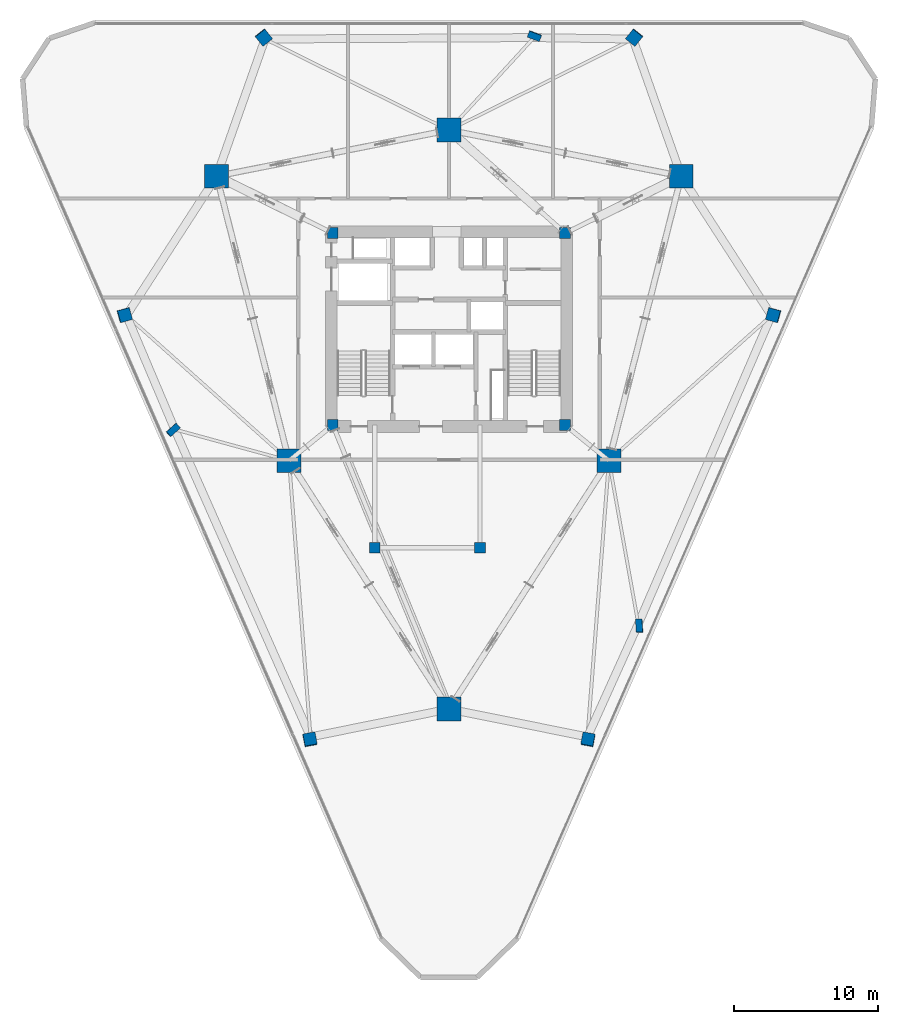
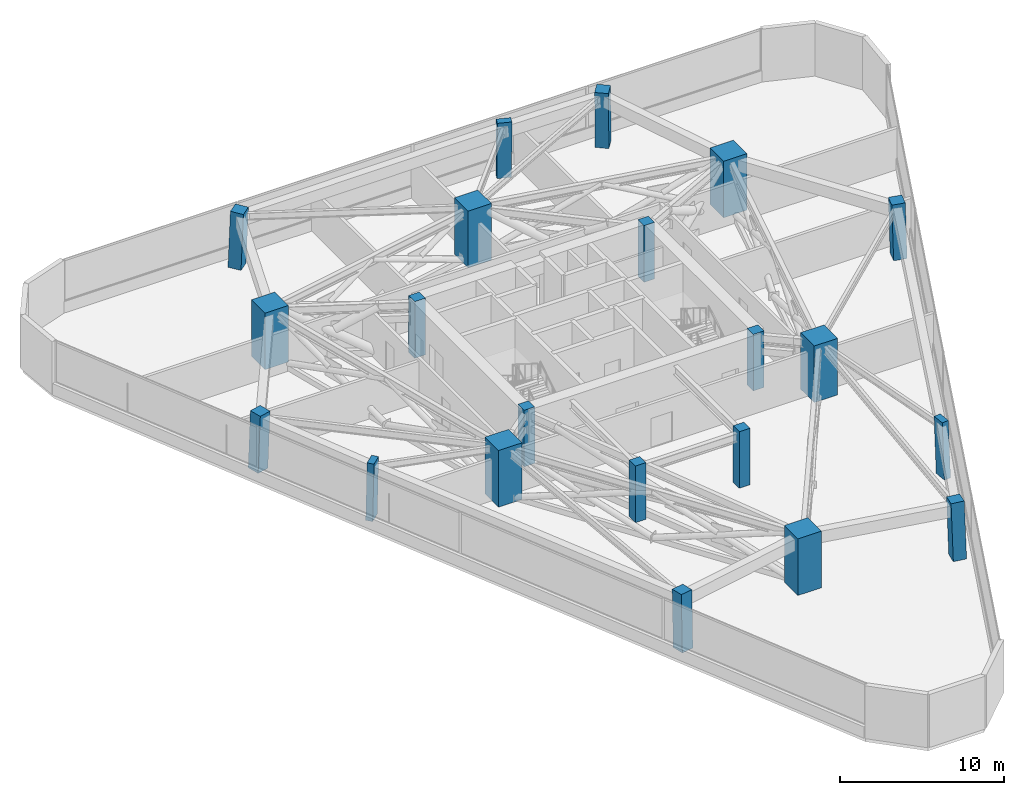
# One storey, part 1 of 14: 21 columns.
"""IFC4 building model written with IfcOpenShell, lengths in metres."""

from ifc_helpers import new_model, si_unit, direction, frame, origin, origin_2d, place, context, subcontext, project, spatial, rectangle, extrude, material, material_profile, profile_set, type_object, element, save


model = new_model("IFC4")

# Units and contexts
model_context = context("Model", 3, precision=1e-05, world=origin(), true_north=direction((0.0, 1.0)))
body_context = subcontext(model_context, "Body", "Model", "MODEL_VIEW")
ifc_project = project(units=[si_unit("LENGTHUNIT", "METRE"), si_unit("AREAUNIT", "SQUARE_METRE"), si_unit("VOLUMEUNIT", "CUBIC_METRE"), si_unit("PLANEANGLEUNIT", "RADIAN"), si_unit("MASSUNIT", "GRAM", prefix="KILO")], contexts=[model_context])

# Site, building, storey
site_placement = place(None, origin())
site = spatial("IfcSite", under=ifc_project, at=site_placement, CompositionType="ELEMENT")
building_placement = place(site_placement, origin())
building = spatial("IfcBuilding", under=site, at=building_placement, Name="Talyreon Biosciences Tower", CompositionType="ELEMENT")
storey_placement = place(building_placement, frame((0.0, 0.0, 123.0)))
storey = spatial("IfcBuildingStorey", under=building, at=storey_placement, Name="L32", CompositionType="ELEMENT", Elevation=123.0)

# Columns
ifc_material_1 = material(Name="Precast concrete C45/55", Category="concrete")
ifc_material_profile_1 = material_profile(ifc_material_1, rectangle(XDim=0.89990234375, YDim=0.449951171875, at=origin_2d()), Name="RC 900x450")
ifc_profile_set_1 = profile_set([ifc_material_profile_1], Name="Precast concrete C45/55")
column_type_1 = type_object("IfcColumnType", Name="FacadePilaster_900x450", PredefinedType="PILASTER", material=ifc_profile_set_1)
column_1_placement = place(storey_placement, frame((79.193603515625, 47.421630859375, 0.0029296875), z_axis=(-0.016985631787, 0.033273223911, 0.999301946803), x_axis=(0.060040523186, -0.997608609306, 0.034237380365)))
element("IfcColumn", 1, at=column_1_placement, inside=storey, type_object=column_type_1, Name="L32 Facade Pilaster PL-SE", PredefinedType="PILASTER", context=body_context, shape_type="SweptSolid", body=[
    extrude(rectangle(XDim=0.89990234375, YDim=0.449951171875, at=origin_2d()), origin(), (0.0, 0.0, 1.0), 4.197021484375),
])
column_2_placement = place(storey_placement, frame((71.930908203125, 88.3251953125, 0.0029296875), z_axis=(-0.010821937576, -0.029149412503, 0.999516481814), x_axis=(-0.937477612418, 0.348045580658, 0.0)))
element("IfcColumn", 2, at=column_2_placement, inside=storey, type_object=column_type_1, Name="L32 Facade Pilaster PL-N", PredefinedType="PILASTER", context=body_context, shape_type="SweptSolid", body=[
    extrude(rectangle(XDim=0.89990234375, YDim=0.449951171875, at=origin_2d()), origin(), (0.0, 0.0, 1.0), 4.196044921875),
])
column_3_placement = place(storey_placement, frame((46.87548828125, 61.006103515625, 0.0029296875), z_axis=(0.027812744233, 0.00913514821, 0.999571408317), x_axis=(0.745476556633, 0.665991665567, -0.026829180136)))
element("IfcColumn", 3, at=column_3_placement, inside=storey, type_object=column_type_1, Name="L32 Facade Pilaster PL-SW", PredefinedType="PILASTER", context=body_context, shape_type="SweptSolid", body=[
    extrude(rectangle(XDim=0.89990234375, YDim=0.449951171875, at=origin_2d()), origin(), (0.0, 0.0, 1.0), 4.19580078125),
])
ifc_material_2 = material(Name="Concrete C60/75", Category="concrete")
ifc_material_profile_2 = material_profile(ifc_material_2, rectangle(XDim=1.64990234375, YDim=1.64990234375, at=origin_2d()), Name="RC 1650x1650")
ifc_profile_set_2 = profile_set([ifc_material_profile_2], Name="Concrete C60/75")
column_type_2 = type_object("IfcColumnType", Name="MegaColumn_1650", PredefinedType="COLUMN", material=ifc_profile_set_2)
for number, where, z_axis, x_axis, name in (
    (4, (66.0, 41.6669921875, 0.0), (0.0, 0.0, 1.0), (1.0, 0.0, 0.0), "L32 Composite Mega-Column MC1"),
    (5, (82.102294921875, 78.5986328125, 0.0), (0.0, 0.0, 1.0), (1.0, 0.0, 0.0), "L32 Composite Mega-Column MC2"),
    (6, (49.897705078125, 78.5986328125, 0.0), (0.0, 0.0, 1.0), (1.0, 0.0, 0.0), "L32 Composite Mega-Column MC3"),
    (7, (77.086181640625, 58.88037109375, 0.0), (0.0, 0.0, 1.0), (1.0, 0.0, 0.0), "L32 Composite Mega-Column MC4"),
    (8, (66.0, 81.788818359375, 0.0), (0.0, 0.0, 1.0), (1.0, 0.0, 0.0), "L32 Composite Mega-Column MC5"),
    (9, (54.913818359375, 58.88037109375, 0.0), (0.0, 0.0, 1.0), (1.0, 0.0, 0.0), "L32 Composite Mega-Column MC6"),
):
    element("IfcColumn", number, at=place(storey_placement, frame(where, z_axis=z_axis, x_axis=x_axis)), inside=storey, type_object=column_type_2, Name=name, PredefinedType="COLUMN", context=body_context, shape_type="SweptSolid", body=[
        extrude(rectangle(XDim=1.64990234375, YDim=1.64990234375, at=origin_2d()), origin(), (0.0, 0.0, 1.0), 4.199951171875),
    ])
ifc_material_3 = material(Name="Concrete C50/60", Category="concrete")
ifc_material_profile_3 = material_profile(ifc_material_3, rectangle(XDim=0.75, YDim=0.75, at=origin_2d()), Name="RC 750x750")
ifc_profile_set_3 = profile_set([ifc_material_profile_3], Name="Concrete C50/60")
column_type_3 = type_object("IfcColumnType", Name="PerimeterColumn_750", PredefinedType="COLUMN", material=ifc_profile_set_3)
for number, where, z_axis, x_axis, name in (
    (10, (57.949951171875, 61.35009765625, 0.0), (0.0, 0.0, 1.0), (1.0, 0.0, 0.0), "L32 Core Column CC1"),
    (11, (74.050048828125, 61.35009765625, 0.0), (0.0, 0.0, 1.0), (1.0, 0.0, 0.0), "L32 Core Column CC2"),
    (12, (74.050048828125, 74.64990234375, 0.0), (0.0, 0.0, 1.0), (1.0, 0.0, 0.0), "L32 Core Column CC3"),
    (13, (57.949951171875, 74.64990234375, 0.0), (0.0, 0.0, 1.0), (1.0, 0.0, 0.0), "L32 Core Column CC4"),
    (14, (60.85009765625, 52.840087890625, 0.0), (0.0, 0.0, 1.0), (1.0, 0.0, 0.0), "L32 Core Column CSW"),
    (15, (68.14990234375, 52.840087890625, 0.0), (0.0, 0.0, 1.0), (1.0, 0.0, 0.0), "L32 Core Column CSE"),
):
    element("IfcColumn", number, at=place(storey_placement, frame(where, z_axis=z_axis, x_axis=x_axis)), inside=storey, type_object=column_type_3, Name=name, PredefinedType="COLUMN", context=body_context, shape_type="SweptSolid", body=[
        extrude(rectangle(XDim=0.75, YDim=0.75, at=origin_2d()), origin(), (0.0, 0.0, 1.0), 4.199951171875),
    ])
ifc_material_profile_4 = material_profile(ifc_material_2, rectangle(XDim=0.85009765625, YDim=0.85009765625, at=origin_2d()), Name="RC 850x850")
ifc_profile_set_4 = profile_set([ifc_material_profile_4], Name="Concrete C60/75")
column_type_4 = type_object("IfcColumnType", Name="PerimeterColumn_850", PredefinedType="COLUMN", material=ifc_profile_set_4)
column_4_placement = place(storey_placement, frame((75.642333984375, 39.537353515625, 0.0029296875), z_axis=(-0.010698135619, 0.047327621707, 0.998822129369), x_axis=(-0.188436729904, -0.981078053525, 0.044468547486)))
element("IfcColumn", 16, at=column_4_placement, inside=storey, type_object=column_type_4, Name="L32 Tapering Perimeter Column PC-SE1", PredefinedType="COLUMN", context=body_context, shape_type="SweptSolid", body=[
    extrude(rectangle(XDim=0.85009765625, YDim=0.85009765625, at=origin_2d()), origin(), (0.0, 0.0, 1.0), 4.198974609375),
])
column_5_placement = place(storey_placement, frame((88.492431640625, 68.970458984375, 0.0029296875), z_axis=(-0.034091169757, -0.004944964896, 0.999406493608), x_axis=(0.963872797575, -0.264485422752, 0.03157041728)))
element("IfcColumn", 17, at=column_5_placement, inside=storey, type_object=column_type_4, Name="L32 Tapering Perimeter Column PC-SE2", PredefinedType="COLUMN", context=body_context, shape_type="SweptSolid", body=[
    extrude(rectangle(XDim=0.85009765625, YDim=0.85009765625, at=origin_2d()), origin(), (0.0, 0.0, 1.0), 4.196533203125),
])
for number, where, z_axis, x_axis, name in (
    (18, (78.85009765625, 88.225341796875, 0.0029296875), (-0.023384322481, -0.029143148167, 0.999301681364), (-0.779956681152, 0.625833504637, 0.0), "L32 Tapering Perimeter Column PC-N1"),
    (19, (53.14990234375, 88.225341796875, 0.0029296875), (0.023384322481, -0.029143148167, 0.999301681364), (-0.779956681152, -0.625833504637, 0.0), "L32 Tapering Perimeter Column PC-N2"),
):
    element("IfcColumn", number, at=place(storey_placement, frame(where, z_axis=z_axis, x_axis=x_axis)), inside=storey, type_object=column_type_4, Name=name, PredefinedType="COLUMN", context=body_context, shape_type="SweptSolid", body=[
        extrude(rectangle(XDim=0.85009765625, YDim=0.85009765625, at=origin_2d()), origin(), (0.0, 0.0, 1.0), 4.197021484375),
    ])
column_6_placement = place(storey_placement, frame((43.507568359375, 68.970458984375, 0.0029296875), z_axis=(0.034091169757, -0.004944964896, 0.999406493608), x_axis=(0.963872797575, 0.264485422752, -0.03157041728)))
element("IfcColumn", 20, at=column_6_placement, inside=storey, type_object=column_type_4, Name="L32 Tapering Perimeter Column PC-SW1", PredefinedType="COLUMN", context=body_context, shape_type="SweptSolid", body=[
    extrude(rectangle(XDim=0.85009765625, YDim=0.85009765625, at=origin_2d()), origin(), (0.0, 0.0, 1.0), 4.196533203125),
])
column_7_placement = place(storey_placement, frame((56.357666015625, 39.537353515625, 0.0029296875), z_axis=(0.010698135619, 0.047327621707, 0.998822129369), x_axis=(-0.188436729904, 0.981078053525, -0.044468547486)))
element("IfcColumn", 21, at=column_7_placement, inside=storey, type_object=column_type_4, Name="L32 Tapering Perimeter Column PC-SW2", PredefinedType="COLUMN", context=body_context, shape_type="SweptSolid", body=[
    extrude(rectangle(XDim=0.85009765625, YDim=0.85009765625, at=origin_2d()), origin(), (0.0, 0.0, 1.0), 4.198974609375),
])

save(model, "model.ifc")
